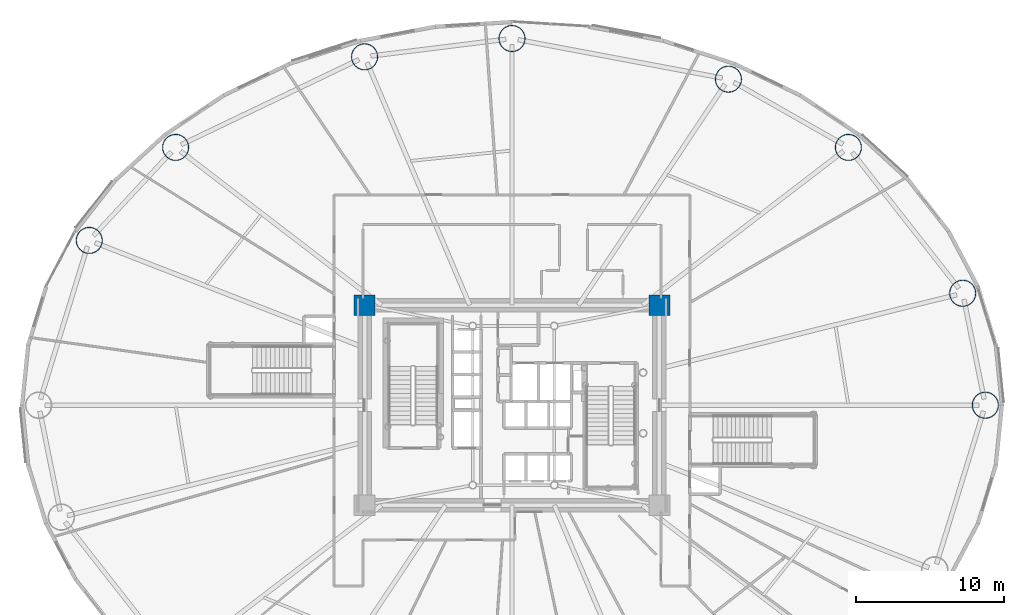
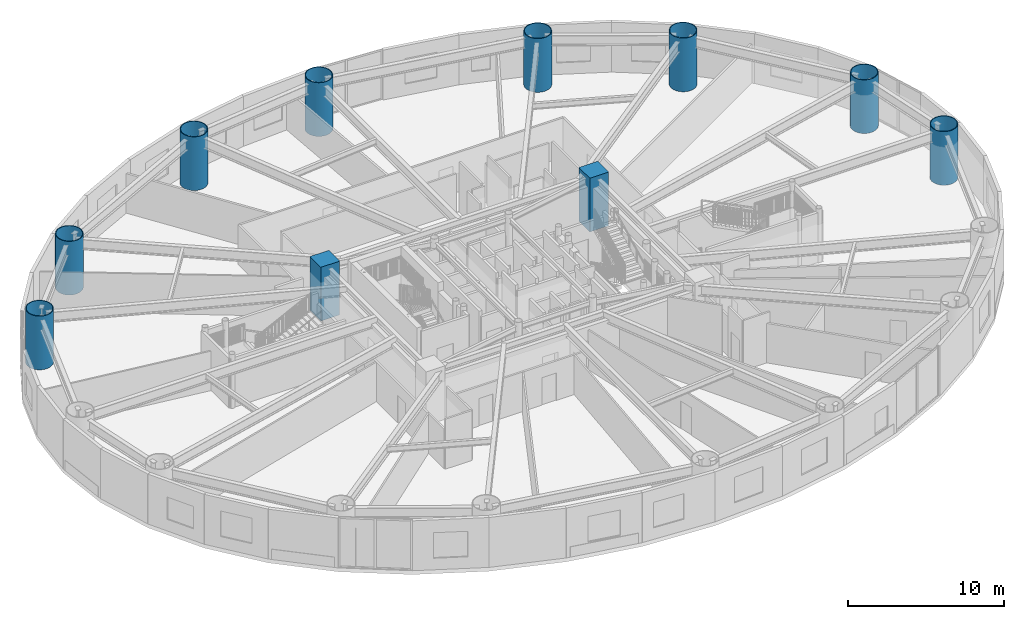
# One storey, part 3 of 27: 10 columns.
"""IFC4 building model written with IfcOpenShell, lengths in metres."""

from ifc_helpers import new_model, si_unit, direction, frame, origin, origin_2d, place, context, subcontext, project, spatial, rectangle, hollow_circle, extrude, material, material_profile, profile_set, type_object, element, save


model = new_model("IFC4")

# Units and contexts
model_context = context("Model", 3, precision=1e-05, world=origin(), true_north=direction((0.0, 1.0)))
body_context = subcontext(model_context, "Body", "Model", "MODEL_VIEW")
ifc_project = project(units=[si_unit("LENGTHUNIT", "METRE"), si_unit("AREAUNIT", "SQUARE_METRE"), si_unit("VOLUMEUNIT", "CUBIC_METRE"), si_unit("PLANEANGLEUNIT", "RADIAN"), si_unit("MASSUNIT", "GRAM", prefix="KILO")], contexts=[model_context])

# Site, building, storey
site_placement = place(None, origin())
site = spatial("IfcSite", under=ifc_project, at=site_placement, CompositionType="ELEMENT")
building_placement = place(site_placement, origin())
building = spatial("IfcBuilding", under=site, at=building_placement, Name="Linh Dai School and Residence Tower", CompositionType="ELEMENT")
storey_placement = place(building_placement, frame((0.0, 0.0, 14.39990234375)))
storey = spatial("IfcBuildingStorey", under=building, at=storey_placement, Name="L03", CompositionType="ELEMENT", Elevation=14.39990234375)

# Columns
ifc_material_1 = material(Name="Concrete B60 (C50/60)", Category="concrete")
ifc_material_profile_1 = material_profile(ifc_material_1, rectangle(XDim=1.39990234375, YDim=1.39990234375, at=origin_2d()), Name="RC 1400x1400")
ifc_profile_set_1 = profile_set([ifc_material_profile_1], Name="Concrete B60 (C50/60)")
column_type_1 = type_object("IfcColumnType", Name="COL-CC1", PredefinedType="COLUMN", material=ifc_profile_set_1)
for number, where, z_axis, x_axis, name in (
    (1, (45.949951171875, 33.75, 0.0), (0.0, 0.0, 1.0), (1.0, 0.0, 0.0), "L03 Core Corner Pier CC3"),
    (2, (26.050048828125, 33.75, 0.0), (0.0, 0.0, 1.0), (1.0, 0.0, 0.0), "L03 Core Corner Pier CC4"),
):
    element("IfcColumn", number, at=place(storey_placement, frame(where, z_axis=z_axis, x_axis=x_axis)), inside=storey, type_object=column_type_1, Name=name, PredefinedType="COLUMN", context=body_context, shape_type="SweptSolid", body=[
        extrude(rectangle(XDim=1.39990234375, YDim=1.39990234375, at=origin_2d()), origin(), (0.0, 0.0, 1.0), 4.2001953125),
    ])
ifc_material_2 = material(Name="Structural Steel S355JR", Category="steel")
ifc_material_profile_2 = material_profile(ifc_material_2, hollow_circle(Radius=0.89990234375, WallThickness=0.050048828125, at=origin_2d()), Name="CHS 1800x50")
ifc_profile_set_2 = profile_set([ifc_material_profile_2], Name="Structural Steel S355JR")
column_type_2 = type_object("IfcColumnType", Name="COL-MC1", PredefinedType="COLUMN", material=ifc_profile_set_2)
for number, where, z_axis, x_axis, name in (
    (3, (67.949951171875, 27.0, 0.0), (0.0, 0.0, 1.0), (1.0, 0.0, 0.0), "L03 Perimeter CFT Mega-Column MC01"),
    (4, (66.42041015625, 34.555419921875, 0.0), (0.0, 0.0, 1.0), (1.0, 0.0, 0.0), "L03 Perimeter CFT Mega-Column MC02"),
    (5, (58.705322265625, 44.400634765625, 0.0), (0.0, 0.0, 1.0), (1.0, 0.0, 0.0), "L03 Perimeter CFT Mega-Column MC03"),
    (6, (50.609130859375, 49.005126953125, 0.0), (0.0, 0.0, 1.0), (1.0, 0.0, 0.0), "L03 Perimeter CFT Mega-Column MC04"),
    (7, (36.0, 51.75, 0.0), (0.0, 0.0, 1.0), (1.0, 0.0, 0.0), "L03 Perimeter CFT Mega-Column MC05"),
    (8, (26.048828125, 50.51611328125, 0.0), (0.0, 0.0, 1.0), (1.0, 0.0, 0.0), "L03 Perimeter CFT Mega-Column MC06"),
    (9, (13.294677734375, 44.400634765625, 0.0), (0.0, 0.0, 1.0), (1.0, 0.0, 0.0), "L03 Perimeter CFT Mega-Column MC07"),
    (10, (7.46630859375, 38.1220703125, 0.0), (0.0, 0.0, 1.0), (1.0, 0.0, 0.0), "L03 Perimeter CFT Mega-Column MC08"),
):
    element("IfcColumn", number, at=place(storey_placement, frame(where, z_axis=z_axis, x_axis=x_axis)), inside=storey, type_object=column_type_2, Name=name, PredefinedType="COLUMN", context=body_context, shape_type="SweptSolid", body=[
        extrude(hollow_circle(Radius=0.89990234375, WallThickness=0.050048828125, at=origin_2d()), origin(), (0.0, 0.0, 1.0), 4.2001953125),
    ])

save(model, "model.ifc")
